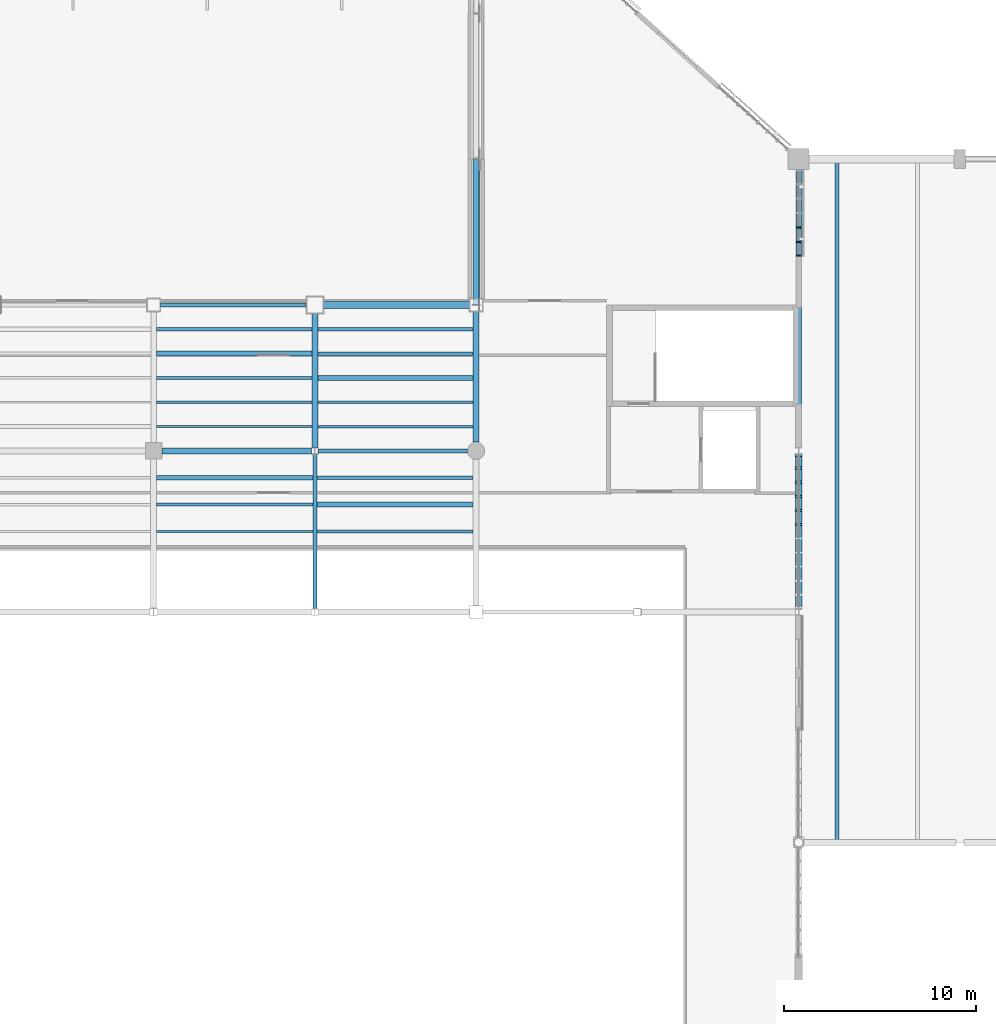
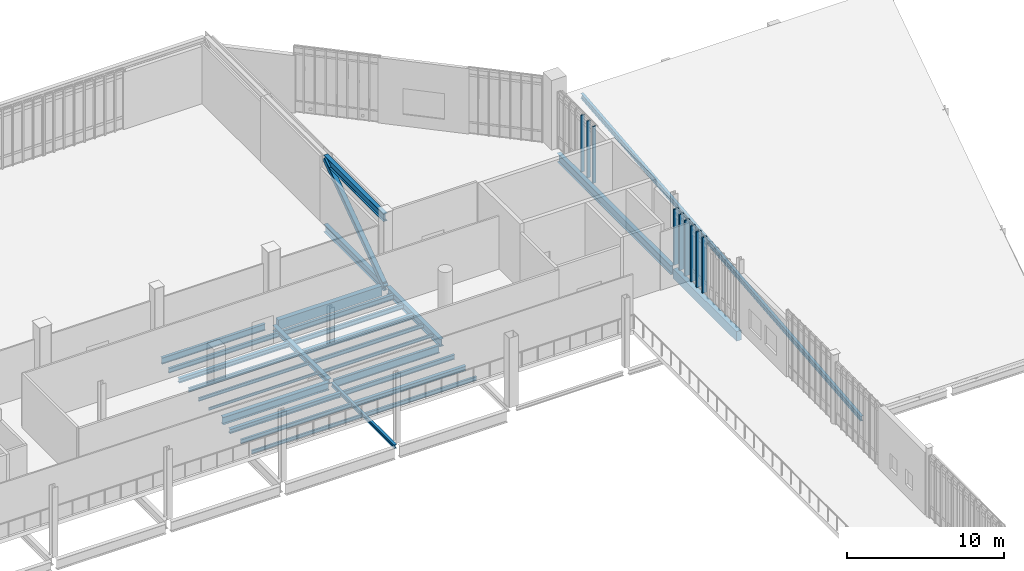
# One storey, part 27 of 135: 27 beams, 11 members, 2 elements without a shape of their own.
"""IFC4 building model written with IfcOpenShell, lengths in metres."""

from ifc_helpers import new_model, si_unit, direction, frame, origin, origin_2d, place, context, subcontext, project, spatial, rectangle, hollow_rectangle, i_section, extrude, material, material_profile, profile_set, type_object, element, aggregate, save


model = new_model("IFC4")

# Units and contexts
model_context = context("Model", 3, precision=1e-05, world=origin(), true_north=direction((0.0, 1.0)))
body_context = subcontext(model_context, "Body", "Model", "MODEL_VIEW")
ifc_project = project(units=[si_unit("LENGTHUNIT", "METRE"), si_unit("AREAUNIT", "SQUARE_METRE"), si_unit("VOLUMEUNIT", "CUBIC_METRE"), si_unit("PLANEANGLEUNIT", "RADIAN"), si_unit("MASSUNIT", "GRAM", prefix="KILO")], contexts=[model_context])

# Site, building, storey
site_placement = place(None, origin())
site = spatial("IfcSite", under=ifc_project, at=site_placement, CompositionType="ELEMENT")
building_placement = place(site_placement, origin())
building = spatial("IfcBuilding", under=site, at=building_placement, Name="Larkvane Passage Sports Hall", CompositionType="ELEMENT")
storey_placement = place(building_placement, frame((0.0, 0.0, 16.800048828125)))
storey = spatial("IfcBuildingStorey", under=building, at=storey_placement, Name="L03", CompositionType="ELEMENT", Elevation=16.800048828125)

# Beams
ifc_material_1 = material(Name="Steel S355JR", Category="steel")
ifc_material_profile_1 = material_profile(ifc_material_1, i_section(OverallWidth=0.199951171875, OverallDepth=0.2939453125, WebThickness=0.008056640625, FlangeThickness=0.011962890625, FilletRadius=0.012939453125, at=origin_2d()), Name="H-294x200x8x12")
ifc_profile_set_1 = profile_set([ifc_material_profile_1], Name="Steel S355JR")
beam_type_1 = type_object("IfcBeamType", Name="BM-STL-H294", PredefinedType="BEAM", material=ifc_profile_set_1)
beam_1_placement = place(storey_placement, frame((68.39990234375, 75.77490234375, -0.487060546875), z_axis=(0.0, 1.0, 0.0), x_axis=(-1.0, 0.0, 0.0)))
element("IfcBeam", 1, at=beam_1_placement, inside=storey, type_object=beam_type_1, Name="Girder BM5-Y-L03-10-1028", PredefinedType="BEAM", context=body_context, shape_type="SweptSolid", body=[
    extrude(i_section(OverallWidth=0.199951171875, OverallDepth=0.2939453125, WebThickness=0.008056640625, FlangeThickness=0.011962890625, FilletRadius=0.012939453125, at=origin_2d()), origin(), (0.0, 0.0, 1.0), 8.050048828125),
])
ifc_material_profile_2 = material_profile(ifc_material_1, i_section(OverallWidth=0.300048828125, OverallDepth=0.389892578125, WebThickness=0.010009765625, FlangeThickness=0.01611328125, FilletRadius=0.01806640625, at=origin_2d()), Name="H-390x300x10x16")
ifc_profile_set_2 = profile_set([ifc_material_profile_2], Name="Steel S355JR")
beam_type_2 = type_object("IfcBeamType", Name="BM-STL-H390", PredefinedType="BEAM", material=ifc_profile_set_2)
beam_2_placement = place(storey_placement, frame((68.39990234375, 84.175048828125, -0.53515625), z_axis=(0.0, 1.0, 0.0), x_axis=(-1.0, 0.0, 0.0)))
element("IfcBeam", 2, at=beam_2_placement, inside=storey, type_object=beam_type_2, Name="Girder BM5-Y-L03-10-1029", PredefinedType="BEAM", context=body_context, shape_type="SweptSolid", body=[
    extrude(i_section(OverallWidth=0.300048828125, OverallDepth=0.389892578125, WebThickness=0.010009765625, FlangeThickness=0.01611328125, FilletRadius=0.01806640625, at=origin_2d()), origin(), (0.0, 0.0, 1.0), 6.974853515625),
])
ifc_material_2 = material(Name="Steel S460N", Category="steel")
ifc_material_profile_3 = material_profile(ifc_material_2, i_section(OverallWidth=0.300048828125, OverallDepth=0.58203125, WebThickness=0.011962890625, FlangeThickness=0.01708984375, FilletRadius=0.02197265625, at=origin_2d()), Name="H-582x300x12x17")
ifc_profile_set_3 = profile_set([ifc_material_profile_3], Name="Steel S460N")
beam_type_3 = type_object("IfcBeamType", Name="BM-STL-H582", PredefinedType="BEAM", material=ifc_profile_set_3)
beam_3_placement = place(storey_placement, frame((76.800048828125, 84.449951171875, -0.631103515625), z_axis=(0.0, 1.0, 0.0), x_axis=(-1.0, 0.0, 0.0)))
element("IfcBeam", 3, at=beam_3_placement, inside=storey, type_object=beam_type_3, Name="Girder BM5-Y-L03-11-1032", PredefinedType="BEAM", context=body_context, shape_type="SweptSolid", body=[
    extrude(i_section(OverallWidth=0.300048828125, OverallDepth=0.58203125, WebThickness=0.011962890625, FlangeThickness=0.01708984375, FilletRadius=0.02197265625, at=origin_2d()), origin(), (0.0, 0.0, 1.0), 6.800048828125),
])
ifc_material_profile_4 = material_profile(ifc_material_2, i_section(OverallWidth=0.300048828125, OverallDepth=0.587890625, WebThickness=0.011962890625, FlangeThickness=0.02001953125, FilletRadius=0.02197265625, at=origin_2d()), Name="H-588x300x12x20")
ifc_profile_set_4 = profile_set([ifc_material_profile_4], Name="Steel S460N")
beam_type_4 = type_object("IfcBeamType", Name="BM-STL-H588", PredefinedType="BEAM", material=ifc_profile_set_4)
beam_4_placement = place(storey_placement, frame((60.425048828125, 84.0, -0.634033203125), z_axis=(1.0, 0.0, 0.0), x_axis=(0.0, 1.0, 0.0)))
element("IfcBeam", 4, at=beam_4_placement, inside=storey, type_object=beam_type_4, Name="Girder BM5-X-L03-K-1007", PredefinedType="BEAM", context=body_context, shape_type="SweptSolid", body=[
    extrude(i_section(OverallWidth=0.300048828125, OverallDepth=0.587890625, WebThickness=0.011962890625, FlangeThickness=0.02001953125, FilletRadius=0.02197265625, at=origin_2d()), origin(), (0.0, 0.0, 1.0), 7.800048828125),
])
for number, where, z_axis, x_axis, name in (
    (5, (76.800048828125, 91.60009765625, -0.614013671875), (0.0, 1.0, 0.0), (-1.0, 0.0, 0.0), "Cantilever truss CT-N3A-2 bottom chord 1"),
    (6, (76.800048828125, 91.60009765625, 4.755859375), (0.0, 1.0, 0.0), (-1.0, 0.0, 0.0), "Cantilever truss CT-N3A-2 top chord 1"),
):
    element("IfcBeam", number, at=place(storey_placement, frame(where, z_axis=z_axis, x_axis=x_axis)), inside=storey, type_object=beam_type_4, Name=name, PredefinedType="BEAM", context=body_context, shape_type="SweptSolid", body=[
        extrude(i_section(OverallWidth=0.300048828125, OverallDepth=0.587890625, WebThickness=0.011962890625, FlangeThickness=0.02001953125, FilletRadius=0.02197265625, at=origin_2d()), origin(), (0.0, 0.0, 1.0), 7.599853515625),
    ])
ifc_material_profile_5 = material_profile(ifc_material_1, i_section(OverallWidth=0.199951171875, OverallDepth=0.60009765625, WebThickness=0.010986328125, FlangeThickness=0.01708984375, FilletRadius=0.01806640625, at=origin_2d()), Name="H-600x200x11x17")
ifc_profile_set_5 = profile_set([ifc_material_profile_5], Name="Steel S355JR")
beam_type_5 = type_object("IfcBeamType", Name="BM-STL-H600", PredefinedType="BEAM", material=ifc_profile_set_5)
beam_5_placement = place(storey_placement, frame((68.574951171875, 84.0, -0.64013671875), z_axis=(1.0, 0.0, 0.0), x_axis=(0.0, 1.0, 0.0)))
element("IfcBeam", 7, at=beam_5_placement, inside=storey, type_object=beam_type_5, Name="Girder BM5-X-L03-K-1008", PredefinedType="BEAM", context=body_context, shape_type="SweptSolid", body=[
    extrude(i_section(OverallWidth=0.199951171875, OverallDepth=0.60009765625, WebThickness=0.010986328125, FlangeThickness=0.01708984375, FilletRadius=0.01806640625, at=origin_2d()), origin(), (0.0, 0.0, 1.0), 7.775146484375),
])
ifc_material_profile_6 = material_profile(ifc_material_2, i_section(OverallWidth=0.300048828125, OverallDepth=0.69189453125, WebThickness=0.012939453125, FlangeThickness=0.02001953125, FilletRadius=0.02197265625, at=origin_2d()), Name="H-692x300x13x20")
ifc_profile_set_6 = profile_set([ifc_material_profile_6], Name="Steel S460N")
beam_type_6 = type_object("IfcBeamType", Name="BM-STL-H692", PredefinedType="BEAM", material=ifc_profile_set_6)
beam_6_placement = place(storey_placement, frame((93.60009765625, 84.175048828125, -0.68603515625), z_axis=(0.0, 1.0, 0.0), x_axis=(-1.0, 0.0, 0.0)))
element("IfcBeam", 8, at=beam_6_placement, inside=storey, type_object=beam_type_6, Name="Girder BM5-Y-L03-13-1038", PredefinedType="BEAM", context=body_context, shape_type="SweptSolid", body=[
    extrude(i_section(OverallWidth=0.300048828125, OverallDepth=0.69189453125, WebThickness=0.012939453125, FlangeThickness=0.02001953125, FilletRadius=0.02197265625, at=origin_2d()), origin(), (0.0, 0.0, 1.0), 14.474853515625),
])

# Curtain wall, members
ifc_material_3 = material(Name="Thermally broken aluminium and low-E glazing", Category="aluminium")
curtain_wall_type_1 = type_object("IfcCurtainWallType", Name="CW-CLINIC", PredefinedType="USERDEFINED", material=ifc_material_3)
curtain_wall_1_placement = place(storey_placement, origin())
curtain_wall_1 = element("IfcCurtainWall", 9, at=curtain_wall_1_placement, inside=storey, type_object=curtain_wall_type_1, Name="Curtain wall CW5-L03-143", ObjectType="UNITISED CURTAIN WALL", PredefinedType="USERDEFINED")
ifc_material_4 = material(Name="Anodised aluminium 6063-T6", Category="aluminium")
ifc_material_profile_7 = material_profile(ifc_material_4, rectangle(XDim=0.110107421875, YDim=0.360107421875, at=origin_2d()), Name="ALU-MUL-110x360")
ifc_profile_set_7 = profile_set([ifc_material_profile_7], Name="Anodised aluminium 6063-T6")
member_type_1 = type_object("IfcMemberType", Name="CW-MUL-110x360", PredefinedType="MULLION", material=ifc_profile_set_7)
member_1_placement = place(storey_placement, frame((93.60009765625, 83.77392578125, 0.0), z_axis=(0.0, 0.0, 1.0), x_axis=(0.0, -1.0, 0.0)))
member_1 = element("IfcMember", 10, at=member_1_placement, type_object=member_type_1, Name="CW-05 mullion 1", PredefinedType="MULLION", context=body_context, shape_type="SweptSolid", body=[
    extrude(rectangle(XDim=0.110107421875, YDim=0.360107421875, at=origin_2d()), origin(), (0.0, 0.0, 1.0), 4.31591796875),
])
member_2_placement = place(storey_placement, frame((93.60009765625, 83.096435546875, 0.0), z_axis=(0.0, 0.0, 1.0), x_axis=(0.0, -1.0, 0.0)))
member_2 = element("IfcMember", 11, at=member_2_placement, type_object=member_type_1, Name="CW-05 mullion 2", PredefinedType="MULLION", context=body_context, shape_type="SweptSolid", body=[
    extrude(rectangle(XDim=0.110107421875, YDim=0.360107421875, at=origin_2d()), origin(), (0.0, 0.0, 1.0), 4.31591796875),
])
member_3_placement = place(storey_placement, frame((93.60009765625, 82.364013671875, 0.0), z_axis=(0.0, 0.0, 1.0), x_axis=(0.0, -1.0, 0.0)))
member_3 = element("IfcMember", 12, at=member_3_placement, type_object=member_type_1, Name="CW-05 mullion 3", PredefinedType="MULLION", context=body_context, shape_type="SweptSolid", body=[
    extrude(rectangle(XDim=0.110107421875, YDim=0.360107421875, at=origin_2d()), origin(), (0.0, 0.0, 1.0), 4.31591796875),
])
member_4_placement = place(storey_placement, frame((93.60009765625, 81.63134765625, 0.0), z_axis=(0.0, 0.0, 1.0), x_axis=(0.0, -1.0, 0.0)))
member_4 = element("IfcMember", 13, at=member_4_placement, type_object=member_type_1, Name="CW-05 mullion 4", PredefinedType="MULLION", context=body_context, shape_type="SweptSolid", body=[
    extrude(rectangle(XDim=0.110107421875, YDim=0.360107421875, at=origin_2d()), origin(), (0.0, 0.0, 1.0), 4.31591796875),
])
member_5_placement = place(storey_placement, frame((93.60009765625, 80.89892578125, 0.0), z_axis=(0.0, 0.0, 1.0), x_axis=(0.0, -1.0, 0.0)))
member_5 = element("IfcMember", 14, at=member_5_placement, type_object=member_type_1, Name="CW-05 mullion 5", PredefinedType="MULLION", context=body_context, shape_type="SweptSolid", body=[
    extrude(rectangle(XDim=0.110107421875, YDim=0.360107421875, at=origin_2d()), origin(), (0.0, 0.0, 1.0), 4.31591796875),
])
member_6_placement = place(storey_placement, frame((93.60009765625, 80.166259765625, 0.0), z_axis=(0.0, 0.0, 1.0), x_axis=(0.0, -1.0, 0.0)))
member_6 = element("IfcMember", 15, at=member_6_placement, type_object=member_type_1, Name="CW-05 mullion 6", PredefinedType="MULLION", context=body_context, shape_type="SweptSolid", body=[
    extrude(rectangle(XDim=0.110107421875, YDim=0.360107421875, at=origin_2d()), origin(), (0.0, 0.0, 1.0), 4.31591796875),
])
aggregate(curtain_wall_1, [member_1, member_2, member_3, member_4, member_5, member_6])

curtain_wall_type_2 = type_object("IfcCurtainWallType", Name="CW-STICK-FOYER", PredefinedType="USERDEFINED", material=ifc_material_3)
curtain_wall_2_placement = place(storey_placement, origin())
curtain_wall_2 = element("IfcCurtainWall", 16, at=curtain_wall_2_placement, inside=storey, type_object=curtain_wall_type_2, Name="Curtain wall CW5-L03-142", ObjectType="STICK CURTAIN WALL", PredefinedType="USERDEFINED")
ifc_material_profile_8 = material_profile(ifc_material_4, rectangle(XDim=0.080078125, YDim=0.25, at=origin_2d()), Name="ALU-MUL-80x250")
ifc_profile_set_8 = profile_set([ifc_material_profile_8], Name="Anodised aluminium 6063-T6")
member_type_2 = type_object("IfcMemberType", Name="CW-MUL-80x250", PredefinedType="MULLION", material=ifc_profile_set_8)
member_7_placement = place(storey_placement, frame((93.60009765625, 95.64013671875, 0.0), z_axis=(0.0, 0.0, 1.0), x_axis=(0.0, -1.0, 0.0)))
member_7 = element("IfcMember", 17, at=member_7_placement, type_object=member_type_2, Name="CW-03 mullion 5", PredefinedType="MULLION", context=body_context, shape_type="SweptSolid", body=[
    extrude(rectangle(XDim=0.080078125, YDim=0.25, at=origin_2d()), origin(), (0.0, 0.0, 1.0), 4.407958984375),
])
member_8_placement = place(storey_placement, frame((93.60009765625, 94.88671875, 0.0), z_axis=(0.0, 0.0, 1.0), x_axis=(0.0, -1.0, 0.0)))
member_8 = element("IfcMember", 18, at=member_8_placement, type_object=member_type_2, Name="CW-03 mullion 6", PredefinedType="MULLION", context=body_context, shape_type="SweptSolid", body=[
    extrude(rectangle(XDim=0.080078125, YDim=0.25, at=origin_2d()), origin(), (0.0, 0.0, 1.0), 4.407958984375),
])
member_9_placement = place(storey_placement, frame((93.60009765625, 94.17333984375, 0.0), z_axis=(0.0, 0.0, 1.0), x_axis=(0.0, -1.0, 0.0)))
member_9 = element("IfcMember", 19, at=member_9_placement, type_object=member_type_2, Name="CW-03 mullion 7", PredefinedType="MULLION", context=body_context, shape_type="SweptSolid", body=[
    extrude(rectangle(XDim=0.080078125, YDim=0.25, at=origin_2d()), origin(), (0.0, 0.0, 1.0), 4.407958984375),
])
aggregate(curtain_wall_2, [member_7, member_8, member_9])

# Beams
ifc_material_profile_9 = material_profile(ifc_material_1, i_section(OverallWidth=0.10009765625, OverallDepth=0.199951171875, WebThickness=0.005615234375, FlangeThickness=0.008056640625, FilletRadius=0.008056640625, at=origin_2d()), Name="H-200x100x5.5x8")
ifc_profile_set_9 = profile_set([ifc_material_profile_9], Name="Steel S355JR")
beam_type_7 = type_object("IfcBeamType", Name="JST-STL-H200", PredefinedType="JOIST", material=ifc_profile_set_9)
beam_7_placement = place(storey_placement, frame((60.1494140625, 85.2666015625, -0.43994140625), z_axis=(1.0, 0.0, 0.0), x_axis=(0.0, 1.0, 0.0)))
element("IfcBeam", 20, at=beam_7_placement, inside=storey, type_object=beam_type_7, Name="Composite joist L03 9/K-1", PredefinedType="JOIST", context=body_context, shape_type="SweptSolid", body=[
    extrude(i_section(OverallWidth=0.10009765625, OverallDepth=0.199951171875, WebThickness=0.005615234375, FlangeThickness=0.008056640625, FilletRadius=0.008056640625, at=origin_2d()), origin(), (0.0, 0.0, 1.0), 8.1005859375),
])
ifc_material_profile_10 = material_profile(ifc_material_1, i_section(OverallWidth=0.125, OverallDepth=0.25, WebThickness=0.006103515625, FlangeThickness=0.009033203125, FilletRadius=0.008056640625, at=origin_2d()), Name="H-250x125x6x9")
ifc_profile_set_10 = profile_set([ifc_material_profile_10], Name="Steel S355JR")
beam_type_8 = type_object("IfcBeamType", Name="JST-STL-H250", PredefinedType="JOIST", material=ifc_profile_set_10)
beam_8_placement = place(storey_placement, frame((60.14990234375, 79.800048828125, -0.465087890625), z_axis=(1.0, 0.0, 0.0), x_axis=(0.0, 1.0, 0.0)))
element("IfcBeam", 21, at=beam_8_placement, inside=storey, type_object=beam_type_8, Name="Composite joist L03 9/J-3", PredefinedType="JOIST", context=body_context, shape_type="SweptSolid", body=[
    extrude(i_section(OverallWidth=0.125, OverallDepth=0.25, WebThickness=0.006103515625, FlangeThickness=0.009033203125, FilletRadius=0.008056640625, at=origin_2d()), origin(), (0.0, 0.0, 1.0), 8.150146484375),
])
beam_9_placement = place(storey_placement, frame((60.1494140625, 86.533447265625, -0.465087890625), z_axis=(1.0, 0.0, 0.0), x_axis=(0.0, 1.0, 0.0)))
element("IfcBeam", 22, at=beam_9_placement, inside=storey, type_object=beam_type_8, Name="Composite joist L03 9/K-2", PredefinedType="JOIST", context=body_context, shape_type="SweptSolid", body=[
    extrude(i_section(OverallWidth=0.125, OverallDepth=0.25, WebThickness=0.006103515625, FlangeThickness=0.009033203125, FilletRadius=0.008056640625, at=origin_2d()), origin(), (0.0, 0.0, 1.0), 8.1005859375),
])
beam_10_placement = place(storey_placement, frame((68.550048828125, 85.2666015625, -0.465087890625), z_axis=(1.0, 0.0, 0.0), x_axis=(0.0, 1.0, 0.0)))
element("IfcBeam", 23, at=beam_10_placement, inside=storey, type_object=beam_type_8, Name="Composite joist L03 10/K-1", PredefinedType="JOIST", context=body_context, shape_type="SweptSolid", body=[
    extrude(i_section(OverallWidth=0.125, OverallDepth=0.25, WebThickness=0.006103515625, FlangeThickness=0.009033203125, FilletRadius=0.008056640625, at=origin_2d()), origin(), (0.0, 0.0, 1.0), 8.099853515625),
])
ifc_material_profile_11 = material_profile(ifc_material_1, i_section(OverallWidth=0.14990234375, OverallDepth=0.300048828125, WebThickness=0.006591796875, FlangeThickness=0.009033203125, FilletRadius=0.012939453125, at=origin_2d()), Name="H-300x150x6.5x9")
ifc_profile_set_11 = profile_set([ifc_material_profile_11], Name="Steel S355JR")
beam_type_9 = type_object("IfcBeamType", Name="JST-STL-H300", PredefinedType="JOIST", material=ifc_profile_set_11)
beam_11_placement = place(storey_placement, frame((60.14990234375, 81.199951171875, -0.489990234375), z_axis=(1.0, 0.0, 0.0), x_axis=(0.0, 1.0, 0.0)))
element("IfcBeam", 24, at=beam_11_placement, inside=storey, type_object=beam_type_9, Name="Composite joist L03 9/J-4", PredefinedType="JOIST", context=body_context, shape_type="SweptSolid", body=[
    extrude(i_section(OverallWidth=0.14990234375, OverallDepth=0.300048828125, WebThickness=0.006591796875, FlangeThickness=0.009033203125, FilletRadius=0.012939453125, at=origin_2d()), origin(), (0.0, 0.0, 1.0), 8.150146484375),
])
beam_12_placement = place(storey_placement, frame((60.1494140625, 87.800048828125, -0.489990234375), z_axis=(1.0, 0.0, 0.0), x_axis=(0.0, 1.0, 0.0)))
element("IfcBeam", 25, at=beam_12_placement, inside=storey, type_object=beam_type_9, Name="Composite joist L03 9/K-3", PredefinedType="JOIST", context=body_context, shape_type="SweptSolid", body=[
    extrude(i_section(OverallWidth=0.14990234375, OverallDepth=0.300048828125, WebThickness=0.006591796875, FlangeThickness=0.009033203125, FilletRadius=0.012939453125, at=origin_2d()), origin(), (0.0, 0.0, 1.0), 8.1005859375),
])
beam_13_placement = place(storey_placement, frame((68.5, 79.800048828125, -0.489990234375), z_axis=(1.0, 0.0, 0.0), x_axis=(0.0, 1.0, 0.0)))
element("IfcBeam", 26, at=beam_13_placement, inside=storey, type_object=beam_type_9, Name="Composite joist L03 10/J-3", PredefinedType="JOIST", context=body_context, shape_type="SweptSolid", body=[
    extrude(i_section(OverallWidth=0.14990234375, OverallDepth=0.300048828125, WebThickness=0.006591796875, FlangeThickness=0.009033203125, FilletRadius=0.012939453125, at=origin_2d()), origin(), (0.0, 0.0, 1.0), 8.14990234375),
])
beam_14_placement = place(storey_placement, frame((68.550048828125, 86.533447265625, -0.489990234375), z_axis=(1.0, 0.0, 0.0), x_axis=(0.0, 1.0, 0.0)))
element("IfcBeam", 27, at=beam_14_placement, inside=storey, type_object=beam_type_9, Name="Composite joist L03 10/K-2", PredefinedType="JOIST", context=body_context, shape_type="SweptSolid", body=[
    extrude(i_section(OverallWidth=0.14990234375, OverallDepth=0.300048828125, WebThickness=0.006591796875, FlangeThickness=0.009033203125, FilletRadius=0.012939453125, at=origin_2d()), origin(), (0.0, 0.0, 1.0), 8.099853515625),
])
ifc_material_profile_12 = material_profile(ifc_material_1, i_section(OverallWidth=0.25, OverallDepth=0.340087890625, WebThickness=0.009033203125, FlangeThickness=0.013916015625, FilletRadius=0.012939453125, at=origin_2d()), Name="H-340x250x9x14")
ifc_profile_set_12 = profile_set([ifc_material_profile_12], Name="Steel S355JR")
beam_type_10 = type_object("IfcBeamType", Name="JST-STL-H340", PredefinedType="JOIST", material=ifc_profile_set_12)
beam_15_placement = place(storey_placement, frame((60.14990234375, 82.60009765625, -0.510009765625), z_axis=(1.0, 0.0, 0.0), x_axis=(0.0, 1.0, 0.0)))
element("IfcBeam", 28, at=beam_15_placement, inside=storey, type_object=beam_type_10, Name="Composite joist L03 9/J-5", PredefinedType="JOIST", context=body_context, shape_type="SweptSolid", body=[
    extrude(i_section(OverallWidth=0.25, OverallDepth=0.340087890625, WebThickness=0.009033203125, FlangeThickness=0.013916015625, FilletRadius=0.012939453125, at=origin_2d()), origin(), (0.0, 0.0, 1.0), 8.150146484375),
])
beam_16_placement = place(storey_placement, frame((60.1494140625, 89.066650390625, -0.510009765625), z_axis=(1.0, 0.0, 0.0), x_axis=(0.0, 1.0, 0.0)))
element("IfcBeam", 29, at=beam_16_placement, inside=storey, type_object=beam_type_10, Name="Composite joist L03 9/K-4", PredefinedType="JOIST", context=body_context, shape_type="SweptSolid", body=[
    extrude(i_section(OverallWidth=0.25, OverallDepth=0.340087890625, WebThickness=0.009033203125, FlangeThickness=0.013916015625, FilletRadius=0.012939453125, at=origin_2d()), origin(), (0.0, 0.0, 1.0), 8.1005859375),
])
beam_17_placement = place(storey_placement, frame((68.5, 81.199951171875, -0.510009765625), z_axis=(1.0, 0.0, 0.0), x_axis=(0.0, 1.0, 0.0)))
element("IfcBeam", 30, at=beam_17_placement, inside=storey, type_object=beam_type_10, Name="Composite joist L03 10/J-4", PredefinedType="JOIST", context=body_context, shape_type="SweptSolid", body=[
    extrude(i_section(OverallWidth=0.25, OverallDepth=0.340087890625, WebThickness=0.009033203125, FlangeThickness=0.013916015625, FilletRadius=0.012939453125, at=origin_2d()), origin(), (0.0, 0.0, 1.0), 8.14990234375),
])
beam_18_placement = place(storey_placement, frame((68.550048828125, 87.800048828125, -0.510009765625), z_axis=(1.0, 0.0, 0.0), x_axis=(0.0, 1.0, 0.0)))
element("IfcBeam", 31, at=beam_18_placement, inside=storey, type_object=beam_type_10, Name="Composite joist L03 10/K-3", PredefinedType="JOIST", context=body_context, shape_type="SweptSolid", body=[
    extrude(i_section(OverallWidth=0.25, OverallDepth=0.340087890625, WebThickness=0.009033203125, FlangeThickness=0.013916015625, FilletRadius=0.012939453125, at=origin_2d()), origin(), (0.0, 0.0, 1.0), 8.099853515625),
])
ifc_material_profile_13 = material_profile(ifc_material_1, i_section(OverallWidth=0.175048828125, OverallDepth=0.35009765625, WebThickness=0.007080078125, FlangeThickness=0.010986328125, FilletRadius=0.012939453125, at=origin_2d()), Name="H-350x175x7x11")
ifc_profile_set_13 = profile_set([ifc_material_profile_13], Name="Steel S355JR")
beam_type_11 = type_object("IfcBeamType", Name="JST-STL-H350", PredefinedType="JOIST", material=ifc_profile_set_13)
beam_19_placement = place(storey_placement, frame((60.1494140625, 90.333251953125, -0.51513671875), z_axis=(1.0, 0.0, 0.0), x_axis=(0.0, 1.0, 0.0)))
element("IfcBeam", 32, at=beam_19_placement, inside=storey, type_object=beam_type_11, Name="Composite joist L03 9/K-5", PredefinedType="JOIST", context=body_context, shape_type="SweptSolid", body=[
    extrude(i_section(OverallWidth=0.175048828125, OverallDepth=0.35009765625, WebThickness=0.007080078125, FlangeThickness=0.010986328125, FilletRadius=0.012939453125, at=origin_2d()), origin(), (0.0, 0.0, 1.0), 8.1005859375),
])
beam_20_placement = place(storey_placement, frame((68.5, 82.60009765625, -0.51513671875), z_axis=(1.0, 0.0, 0.0), x_axis=(0.0, 1.0, 0.0)))
element("IfcBeam", 33, at=beam_20_placement, inside=storey, type_object=beam_type_11, Name="Composite joist L03 10/J-5", PredefinedType="JOIST", context=body_context, shape_type="SweptSolid", body=[
    extrude(i_section(OverallWidth=0.175048828125, OverallDepth=0.35009765625, WebThickness=0.007080078125, FlangeThickness=0.010986328125, FilletRadius=0.012939453125, at=origin_2d()), origin(), (0.0, 0.0, 1.0), 8.14990234375),
])
beam_21_placement = place(storey_placement, frame((68.550048828125, 89.066650390625, -0.51513671875), z_axis=(1.0, 0.0, 0.0), x_axis=(0.0, 1.0, 0.0)))
element("IfcBeam", 34, at=beam_21_placement, inside=storey, type_object=beam_type_11, Name="Composite joist L03 10/K-4", PredefinedType="JOIST", context=body_context, shape_type="SweptSolid", body=[
    extrude(i_section(OverallWidth=0.175048828125, OverallDepth=0.35009765625, WebThickness=0.007080078125, FlangeThickness=0.010986328125, FilletRadius=0.012939453125, at=origin_2d()), origin(), (0.0, 0.0, 1.0), 8.099853515625),
])
ifc_material_profile_14 = material_profile(ifc_material_1, i_section(OverallWidth=0.199951171875, OverallDepth=0.39990234375, WebThickness=0.008056640625, FlangeThickness=0.012939453125, FilletRadius=0.012939453125, at=origin_2d()), Name="H-400x200x8x13")
ifc_profile_set_14 = profile_set([ifc_material_profile_14], Name="Steel S355JR")
beam_type_12 = type_object("IfcBeamType", Name="JST-STL-H400", PredefinedType="JOIST", material=ifc_profile_set_14)
beam_22_placement = place(storey_placement, frame((68.550048828125, 90.333251953125, -0.5400390625), z_axis=(1.0, 0.0, 0.0), x_axis=(0.0, 1.0, 0.0)))
element("IfcBeam", 35, at=beam_22_placement, inside=storey, type_object=beam_type_12, Name="Composite joist L03 10/K-5", PredefinedType="JOIST", context=body_context, shape_type="SweptSolid", body=[
    extrude(i_section(OverallWidth=0.199951171875, OverallDepth=0.39990234375, WebThickness=0.008056640625, FlangeThickness=0.012939453125, FilletRadius=0.012939453125, at=origin_2d()), origin(), (0.0, 0.0, 1.0), 8.099853515625),
])

# Members
ifc_material_profile_15 = material_profile(ifc_material_2, hollow_rectangle(XDim=0.35009765625, YDim=0.35009765625, WallThickness=0.01611328125, InnerFilletRadius=0.01611328125, OuterFilletRadius=0.031982421875, at=origin_2d()), Name="SHS-350x350x16")
ifc_profile_set_15 = profile_set([ifc_material_profile_15], Name="Steel S460N")
member_type_3 = type_object("IfcMemberType", Name="MBR-BR-SHS350", PredefinedType="BRACE", material=ifc_profile_set_15)
member_10_placement = place(storey_placement, frame((76.800048828125, 91.60009765625, -0.614013671875), z_axis=(0.0, 0.816700931894, 0.577061164734), x_axis=(-1.0, 0.0, 0.0)))
element("IfcMember", 36, at=member_10_placement, inside=storey, type_object=member_type_3, Name="Cantilever truss CT-N3A-2 web diagonal 1", PredefinedType="BRACE", context=body_context, shape_type="SweptSolid", body=[
    extrude(hollow_rectangle(XDim=0.35009765625, YDim=0.35009765625, WallThickness=0.01611328125, InnerFilletRadius=0.01611328125, OuterFilletRadius=0.031982421875, at=origin_2d()), origin(), (0.0, 0.0, 1.0), 9.3056640625),
])
ifc_material_profile_16 = material_profile(ifc_material_1, i_section(OverallWidth=0.199951171875, OverallDepth=0.39990234375, WebThickness=0.008056640625, FlangeThickness=0.012939453125, FilletRadius=0.012939453125, at=origin_2d()), Name="H-400x200x8x13")
ifc_profile_set_16 = profile_set([ifc_material_profile_16], Name="Steel S355JR")
member_type_4 = type_object("IfcMemberType", Name="MBR-RF-H400", PredefinedType="RAFTER", material=ifc_profile_set_16)
member_11_placement = place(storey_placement, frame((95.60009765625, 63.60009765625, -0.449951171875), z_axis=(0.0, 0.995201835121, 0.097843279647), x_axis=(-1.0, 0.0, 0.0)))
element("IfcMember", 37, at=member_11_placement, inside=storey, type_object=member_type_4, Name="Climbing hall mono-fold roof rafter 1", PredefinedType="RAFTER", context=body_context, shape_type="SweptSolid", body=[
    extrude(i_section(OverallWidth=0.199951171875, OverallDepth=0.39990234375, WebThickness=0.008056640625, FlangeThickness=0.012939453125, FilletRadius=0.012939453125, at=origin_2d()), origin(), (0.0, 0.0, 1.0), 35.771484375),
])

# Beams
ifc_material_5 = material(Name="Concrete C40/50", Category="concrete")
ifc_material_profile_17 = material_profile(ifc_material_5, rectangle(XDim=0.35009765625, YDim=0.75, at=origin_2d()), Name="RC-SP-350x750")
ifc_profile_set_17 = profile_set([ifc_material_profile_17], Name="Concrete C40/50")
beam_type_13 = type_object("IfcBeamType", Name="SP-RC-350x750", PredefinedType="SPANDREL", material=ifc_profile_set_17)
beam_23_placement = place(storey_placement, frame((68.85009765625, 91.60009765625, -0.715087890625), z_axis=(1.0, 0.0, 0.0), x_axis=(0.0, 1.0, 0.0)))
element("IfcBeam", 38, at=beam_23_placement, inside=storey, type_object=beam_type_13, Name="Girder BM5-X-L03-L-1013", PredefinedType="SPANDREL", context=body_context, shape_type="SweptSolid", body=[
    extrude(rectangle(XDim=0.35009765625, YDim=0.75, at=origin_2d()), origin(), (0.0, 0.0, 1.0), 7.599853515625),
])
beam_24_placement = place(storey_placement, frame((93.60009765625, 75.77490234375, -0.715087890625), z_axis=(0.0, 1.0, 0.0), x_axis=(-1.0, 0.0, 0.0)))
element("IfcBeam", 39, at=beam_24_placement, inside=storey, type_object=beam_type_13, Name="Girder BM5-Y-L03-13-1037", PredefinedType="SPANDREL", context=body_context, shape_type="SweptSolid", body=[
    extrude(rectangle(XDim=0.35009765625, YDim=0.75, at=origin_2d()), origin(), (0.0, 0.0, 1.0), 8.050048828125),
])
ifc_material_profile_18 = material_profile(ifc_material_1, i_section(OverallWidth=0.199951171875, OverallDepth=0.5, WebThickness=0.010009765625, FlangeThickness=0.01611328125, FilletRadius=0.01806640625, at=origin_2d()), Name="H-500x200x10x16")
ifc_profile_set_18 = profile_set([ifc_material_profile_18], Name="Steel S355JR")
beam_type_14 = type_object("IfcBeamType", Name="SP-STL-H500", PredefinedType="SPANDREL", material=ifc_profile_set_18)
beam_25_placement = place(storey_placement, frame((60.35009765625, 91.60009765625, -0.590087890625), z_axis=(1.0, 0.0, 0.0), x_axis=(0.0, 1.0, 0.0)))
element("IfcBeam", 40, at=beam_25_placement, inside=storey, type_object=beam_type_14, Name="Girder BM5-X-L03-L-1012", PredefinedType="SPANDREL", context=body_context, shape_type="SweptSolid", body=[
    extrude(i_section(OverallWidth=0.199951171875, OverallDepth=0.5, WebThickness=0.010009765625, FlangeThickness=0.01611328125, FilletRadius=0.01806640625, at=origin_2d()), origin(), (0.0, 0.0, 1.0), 7.599853515625),
])

save(model, "model.ifc")
